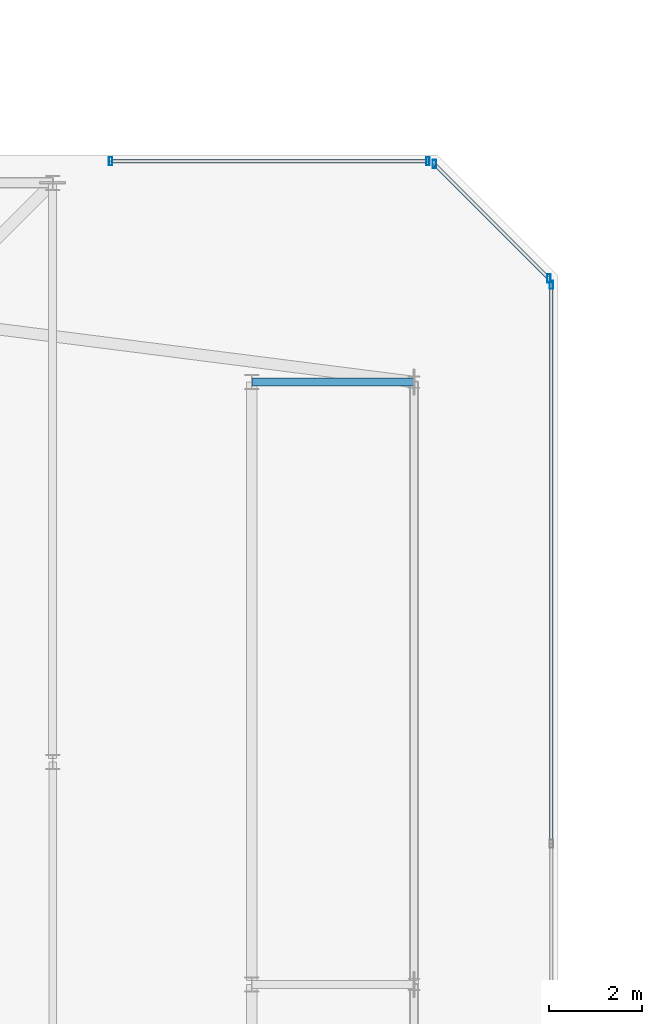
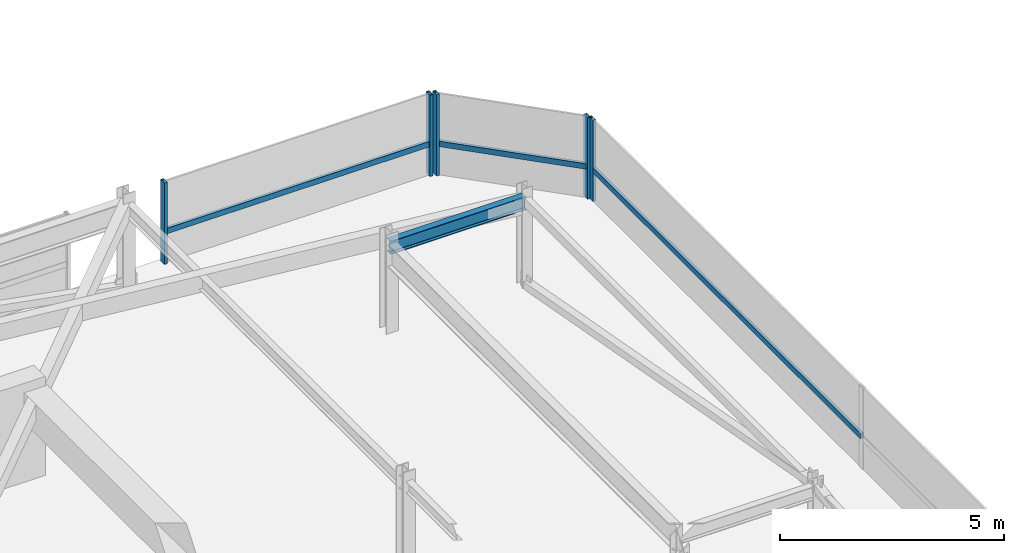
# One storey, part 27 of 44: 8 members, 1 beam, 3 elements without a shape of their own.
"""IFC4 building model written with IfcOpenShell, lengths in metres."""

from ifc_helpers import new_model, si_unit, direction, frame, origin, origin_2d, place, context, subcontext, project, spatial, hollow_rectangle, i_section, extrude, material, material_profile, profile_set, type_object, element, aggregate, save


model = new_model("IFC4")

# Units and contexts
model_context = context("Model", 3, precision=1e-05, world=origin(), true_north=direction((0.0, 1.0)))
body_context = subcontext(model_context, "Body", "Model", "MODEL_VIEW")
ifc_project = project(units=[si_unit("LENGTHUNIT", "METRE"), si_unit("AREAUNIT", "SQUARE_METRE"), si_unit("VOLUMEUNIT", "CUBIC_METRE"), si_unit("PLANEANGLEUNIT", "RADIAN"), si_unit("MASSUNIT", "GRAM", prefix="KILO")], contexts=[model_context])

# Site, building, storey
site_placement = place(None, origin())
site = spatial("IfcSite", under=ifc_project, at=site_placement, CompositionType="ELEMENT")
building_placement = place(site_placement, origin())
building = spatial("IfcBuilding", under=site, at=building_placement, Name="Thornwick Lancets Civic Towers", CompositionType="ELEMENT")
storey_placement = place(building_placement, frame((0.0, 0.0, 292.199951171875)))
storey = spatial("IfcBuildingStorey", under=building, at=storey_placement, Name="C05", CompositionType="ELEMENT", Elevation=292.199951171875)

# Beam
ifc_material_1 = material(Name="Steel S355JR", Category="steel")
ifc_material_profile_1 = material_profile(ifc_material_1, i_section(OverallWidth=0.173095703125, OverallDepth=0.36328125, WebThickness=0.009033203125, FlangeThickness=0.015625, FilletRadius=0.01025390625, at=origin_2d()), Name="UKB 356x171x67")
ifc_profile_set_1 = profile_set([ifc_material_profile_1], Name="Steel S355JR")
beam_type = type_object("IfcBeamType", Name="BM_JOIST_356_67", PredefinedType="JOIST", material=ifc_profile_set_1)
beam_placement = place(storey_placement, frame((42.800048828125, 40.0, 2.25830078125), z_axis=(1.0, 0.0, 0.0), x_axis=(0.0, 1.0, 0.0)))
element("IfcBeam", 1, at=beam_placement, inside=storey, type_object=beam_type, Name="BM-RAD-C05-A06", PredefinedType="JOIST", context=body_context, shape_type="SweptSolid", body=[
    extrude(i_section(OverallWidth=0.173095703125, OverallDepth=0.36328125, WebThickness=0.009033203125, FlangeThickness=0.015625, FilletRadius=0.01025390625, at=origin_2d()), origin(), (0.0, 0.0, 1.0), 3.5),
])

# Curtain wall, member
ifc_material_2 = material(Name="Crown ring acoustic-louvre and glazing screen wall", Category="glass")
curtain_wall_type = type_object("IfcCurtainWallType", Name="CW_SYS_07", PredefinedType="NOTDEFINED", material=ifc_material_2)
curtain_wall_1_placement = place(storey_placement, origin())
curtain_wall_1 = element("IfcCurtainWall", 2, at=curtain_wall_1_placement, inside=storey, type_object=curtain_wall_type, Name="C05 Curtain Wall CW-C05-A-E2", PredefinedType="NOTDEFINED")
ifc_material_3 = material(Name="Thermally broken bronze aluminium S355", Category="steel")
ifc_material_profile_2 = material_profile(ifc_material_3, hollow_rectangle(XDim=0.074951171875, YDim=0.179931640625, WallThickness=0.006103515625, at=origin_2d()), Name="RHS 180x75x6")
ifc_profile_set_2 = profile_set([ifc_material_profile_2], Name="Thermally broken bronze aluminium S355")
member_type_1 = type_object("IfcMemberType", Name="CW_MUL_180", PredefinedType="MULLION", material=ifc_profile_set_2)
member_1_placement = place(storey_placement, frame((49.2646484375, 42.101318359375, 0.0), z_axis=(0.0, 0.0, 1.0), x_axis=(1.0, 0.0, 0.0)))
member_1 = element("IfcMember", 3, at=member_1_placement, type_object=member_type_1, Name="CW-C05-A-E2 Mullion 3", PredefinedType="MULLION", context=body_context, shape_type="SweptSolid", body=[
    extrude(hollow_rectangle(XDim=0.074951171875, YDim=0.179931640625, WallThickness=0.006103515625, at=origin_2d()), origin(), (0.0, 0.0, 1.0), 2.219970703125),
])

# Curtain wall, members
curtain_wall_2_placement = place(storey_placement, origin())
curtain_wall_2 = element("IfcCurtainWall", 4, at=curtain_wall_2_placement, inside=storey, type_object=curtain_wall_type, Name="C05 Curtain Wall CW-C05-A-E3", PredefinedType="NOTDEFINED")
member_2_placement = place(storey_placement, frame((49.2080078125, 42.238037109375, 0.0), z_axis=(0.0, 0.0, 1.0), x_axis=(1.0, 0.0, 0.0)))
member_2 = element("IfcMember", 5, at=member_2_placement, type_object=member_type_1, Name="CW-C05-A-E3 Mullion 0", PredefinedType="MULLION", context=body_context, shape_type="SweptSolid", body=[
    extrude(hollow_rectangle(XDim=0.074951171875, YDim=0.179931640625, WallThickness=0.006103515625, at=origin_2d()), origin(), (0.0, 0.0, 1.0), 2.219970703125),
])
member_3_placement = place(storey_placement, frame((46.738037109375, 44.7080078125, 0.0), z_axis=(0.0, 0.0, 1.0), x_axis=(1.0, 0.0, 0.0)))
member_3 = element("IfcMember", 6, at=member_3_placement, type_object=member_type_1, Name="CW-C05-A-E3 Mullion 1", PredefinedType="MULLION", context=body_context, shape_type="SweptSolid", body=[
    extrude(hollow_rectangle(XDim=0.074951171875, YDim=0.179931640625, WallThickness=0.006103515625, at=origin_2d()), origin(), (0.0, 0.0, 1.0), 2.219970703125),
])

curtain_wall_3_placement = place(storey_placement, origin())
curtain_wall_3 = element("IfcCurtainWall", 7, at=curtain_wall_3_placement, inside=storey, type_object=curtain_wall_type, Name="C05 Curtain Wall CW-C05-A-E4-S1", PredefinedType="NOTDEFINED")
member_4_placement = place(storey_placement, frame((46.601318359375, 44.7646484375, 0.0), z_axis=(0.0, 0.0, 1.0), x_axis=(1.0, 0.0, 0.0)))
member_4 = element("IfcMember", 8, at=member_4_placement, type_object=member_type_1, Name="CW-C05-A-E4-S1 Mullion 0", PredefinedType="MULLION", context=body_context, shape_type="SweptSolid", body=[
    extrude(hollow_rectangle(XDim=0.074951171875, YDim=0.179931640625, WallThickness=0.006103515625, at=origin_2d()), origin(), (0.0, 0.0, 1.0), 2.219970703125),
])
member_5_placement = place(storey_placement, frame((39.75, 44.7646484375, 0.0), z_axis=(0.0, 0.0, 1.0), x_axis=(1.0, 0.0, 0.0)))
member_5 = element("IfcMember", 9, at=member_5_placement, type_object=member_type_1, Name="CW-C05-A-E4-S1 Mullion 1", PredefinedType="MULLION", context=body_context, shape_type="SweptSolid", body=[
    extrude(hollow_rectangle(XDim=0.074951171875, YDim=0.179931640625, WallThickness=0.006103515625, at=origin_2d()), origin(), (0.0, 0.0, 1.0), 2.219970703125),
])

# Member
ifc_material_profile_3 = material_profile(ifc_material_3, hollow_rectangle(XDim=0.074951171875, YDim=0.14990234375, WallThickness=0.0048828125, at=origin_2d()), Name="RHS 150x75x5")
ifc_profile_set_3 = profile_set([ifc_material_profile_3], Name="Thermally broken bronze aluminium S355")
member_type_2 = type_object("IfcMemberType", Name="CW_TRN_150", PredefinedType="USERDEFINED", material=ifc_profile_set_3)
member_6_placement = place(storey_placement, frame((49.2646484375, 30.0537109375, 0.85009765625), z_axis=(0.0, 1.0, 0.0), x_axis=(-1.0, 0.0, 0.0)))
member_6 = element("IfcMember", 10, at=member_6_placement, type_object=member_type_2, Name="CW-C05-A-E2 Transom 2", ObjectType="TRANSOM", PredefinedType="USERDEFINED", context=body_context, shape_type="SweptSolid", body=[
    extrude(hollow_rectangle(XDim=0.074951171875, YDim=0.14990234375, WallThickness=0.0048828125, at=origin_2d()), origin(), (0.0, 0.0, 1.0), 12.027587890625),
])

aggregate(curtain_wall_1, [member_1, member_6])

member_7_placement = place(storey_placement, frame((49.19384765625, 42.252197265625, 0.85009765625), z_axis=(-0.707106781187, 0.707106781187, 0.0), x_axis=(-0.707106781187, -0.707106781187, 0.0)))
member_7 = element("IfcMember", 11, at=member_7_placement, type_object=member_type_2, Name="CW-C05-A-E3 Transom 0", ObjectType="TRANSOM", PredefinedType="USERDEFINED", context=body_context, shape_type="SweptSolid", body=[
    extrude(hollow_rectangle(XDim=0.074951171875, YDim=0.14990234375, WallThickness=0.0048828125, at=origin_2d()), origin(), (0.0, 0.0, 1.0), 3.453125),
])

aggregate(curtain_wall_2, [member_2, member_3, member_7])

member_8_placement = place(storey_placement, frame((46.581298828125, 44.7646484375, 0.85009765625), z_axis=(-1.0, 0.0, 0.0), x_axis=(0.0, -1.0, 0.0)))
member_8 = element("IfcMember", 12, at=member_8_placement, type_object=member_type_2, Name="CW-C05-A-E4-S1 Transom 0", ObjectType="TRANSOM", PredefinedType="USERDEFINED", context=body_context, shape_type="SweptSolid", body=[
    extrude(hollow_rectangle(XDim=0.074951171875, YDim=0.14990234375, WallThickness=0.0048828125, at=origin_2d()), origin(), (0.0, 0.0, 1.0), 6.811279296875),
])

aggregate(curtain_wall_3, [member_4, member_5, member_8])

save(model, "model.ifc")
